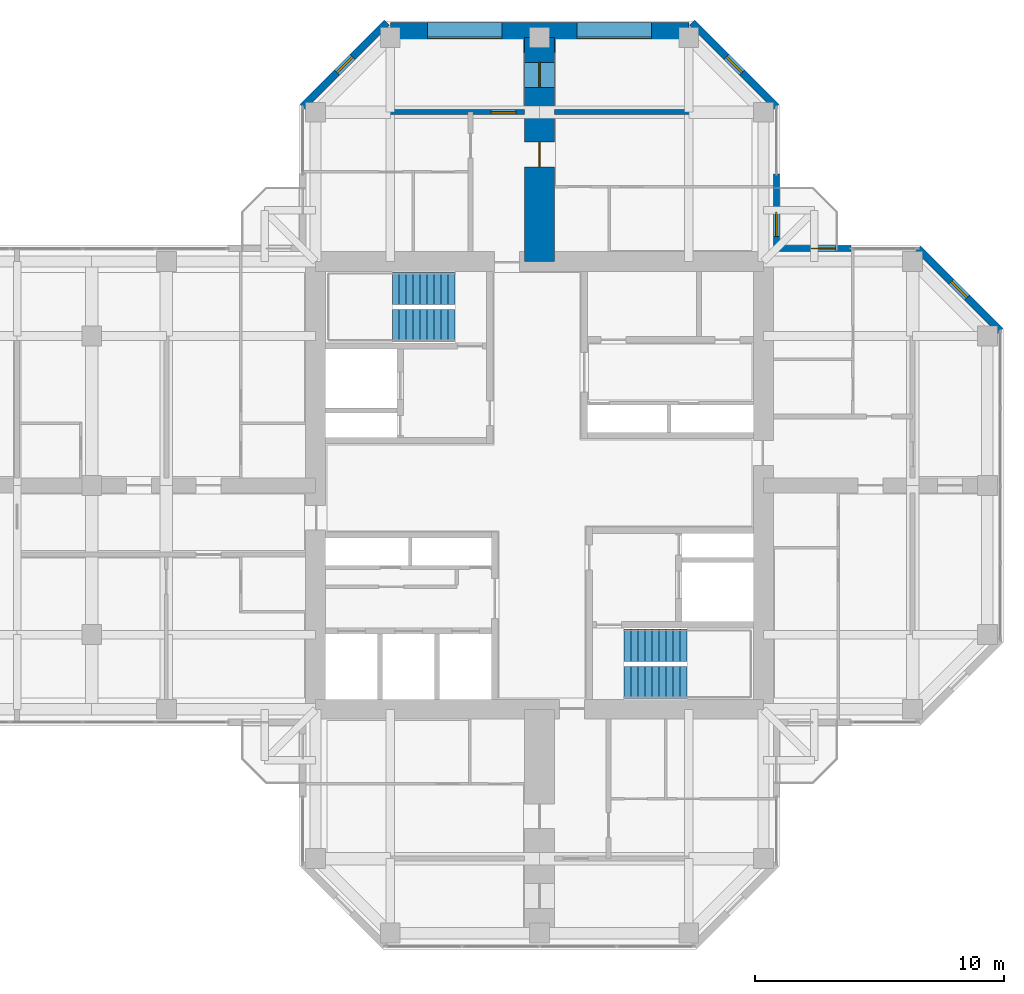
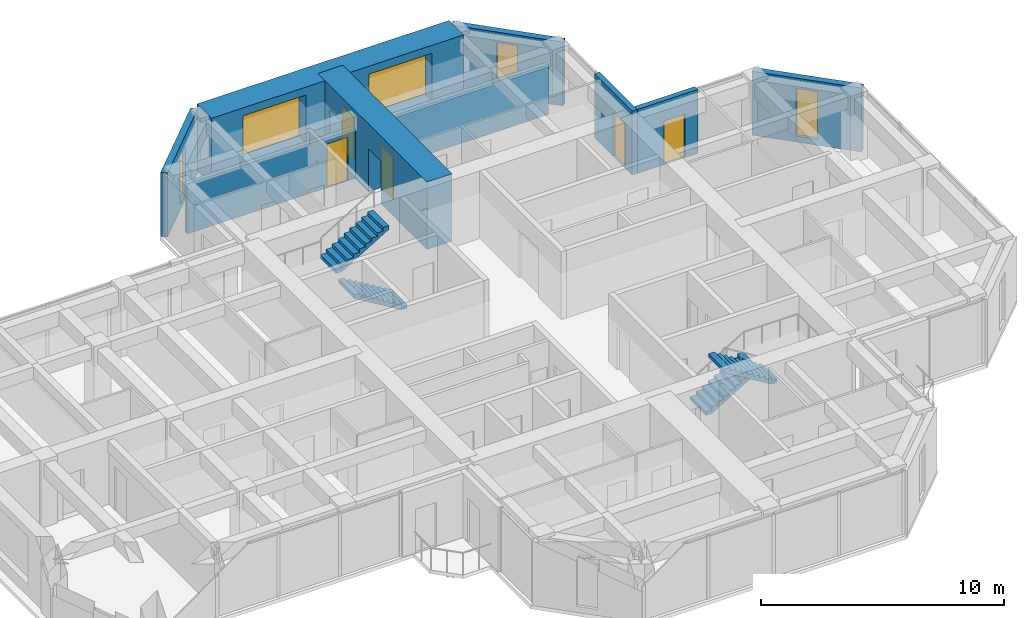
# One storey, part 12 of 13: 9 walls, 5 doors, 5 windows, 4 stair flights, 10 openings, 2 elements without a shape of their own.
"""IFC4 building model written with IfcOpenShell, lengths in metres."""

from ifc_helpers import new_model, si_unit, direction, frame, frame_2d, origin, place, context, subcontext, project, spatial, polyline, rectangle, hollow_rectangle, outline, extrude, material, layer, layer_set, constituent, constituent_set, type_object, element, fill, aggregate, save


model = new_model("IFC4")

# Units and contexts
model_context = context("Model", 3, precision=1e-05, world=origin(), true_north=direction((0.0, 1.0)))
body_context = subcontext(model_context, "Body", "Model", "MODEL_VIEW")
ifc_project = project(units=[si_unit("LENGTHUNIT", "METRE"), si_unit("AREAUNIT", "SQUARE_METRE"), si_unit("VOLUMEUNIT", "CUBIC_METRE"), si_unit("PLANEANGLEUNIT", "RADIAN"), si_unit("MASSUNIT", "GRAM", prefix="KILO")], contexts=[model_context])

# Site, building, storey
site_placement = place(None, origin())
site = spatial("IfcSite", under=ifc_project, at=site_placement, CompositionType="ELEMENT")
building_placement = place(site_placement, origin())
building = spatial("IfcBuilding", under=site, at=building_placement, Name="Torre Cruceta", CompositionType="ELEMENT")
storey_placement = place(building_placement, frame((0.0, 0.0, 232.300048828125)))
storey = spatial("IfcBuildingStorey", under=building, at=storey_placement, Name="L59", CompositionType="ELEMENT", Elevation=232.300048828125)

# Wall, opening, window
ifc_material_1 = material(Name="Concrete G30 (fck 30 MPa)", Category="concrete")
ifc_layer_1 = layer(ifc_material_1, 0.300048828125)
ifc_layer_set_1 = layer_set([ifc_layer_1], Name="Concrete G30 (fck 30 MPa)")
wall_type_1 = type_object("IfcWallType", Name="EXPOSED CONCRETE FACADE WALL 300", PredefinedType="SOLIDWALL", material=ifc_layer_set_1)
wall_1_placement = place(storey_placement, frame((18.52001953125, 6.21533203125, 0.0), z_axis=(0.0, 0.0, 1.0), x_axis=(-0.707106781187, 0.707106781187, 0.0)))
wall_1 = element("IfcWall", 1, at=wall_1_placement, inside=storey, type_object=wall_type_1, Name="EW1 facade wall L59 E chamfer 03", PredefinedType="SOLIDWALL", context=body_context, shape_type="SweptSolid", body=[
    extrude(rectangle(XDim=4.673583984375, YDim=0.300048828125, at=frame_2d((2.3369140625, 0.0))), origin(), (0.0, 0.0, 1.0), 3.219970703125),
])
opening_1_placement = place(wall_1_placement, frame((1.88671875, 0.0, 0.300048828125)))
opening_1 = element("IfcOpeningElement", 2, at=opening_1_placement, cuts=wall_1, Name="Opening WN5", PredefinedType="OPENING", context=body_context, shape_type="SweptSolid", body=[
    extrude(rectangle(XDim=0.89990234375, YDim=2.39990234375, at=frame_2d((0.449951171875, 1.199951171875))), frame((0.0, 0.159912109375, 0.0), z_axis=(0.0, -1.0, 0.0), x_axis=(1.0, 0.0, 0.0)), (0.0, 0.0, 1.0), 0.320068359375),
])
ifc_material_2 = material(Name="Aluminium window frame", Category="aluminium")
ifc_constituent_1 = constituent(ifc_material_2, Name="Frame")
ifc_material_3 = material(Name="Laminated insulating glass unit, low-iron clear", Category="glass")
ifc_constituent_2 = constituent(ifc_material_3, Name="Glazing")
ifc_constituent_set_1 = constituent_set(constituents=[ifc_constituent_1, ifc_constituent_2], Name="Aluminium window")
window_type_1 = type_object("IfcWindowType", Name="CHAMFER SLOT WINDOW 900X2400", PartitioningType="SINGLE_PANEL", PredefinedType="WINDOW", material=ifc_constituent_set_1)
window_1_placement = place(opening_1_placement, origin())
window_1 = element("IfcWindow", 3, at=window_1_placement, inside=storey, type_object=window_type_1, Name="WN5 L59 E 1", OverallHeight=2.39990234375, OverallWidth=0.89990234375, PartitioningType="SINGLE_PANEL", PredefinedType="WINDOW", context=body_context, shape_type="SweptSolid", body=[
    extrude(hollow_rectangle(XDim=0.89990234375, YDim=2.39990234375, WallThickness=0.06005859375, at=frame_2d((0.449951171875, 1.199951171875))), frame((0.0, 0.030029296875, 0.0), z_axis=(0.0, -1.0, 0.0), x_axis=(1.0, 0.0, 0.0)), (0.0, 0.0, 1.0), 0.06005859375),
    extrude(rectangle(XDim=0.77880859375, YDim=2.27880859375, at=frame_2d((0.449951171875, 1.199951171875))), frame((0.0, 0.030029296875, 0.0), z_axis=(0.0, -1.0, 0.0), x_axis=(1.0, 0.0, 0.0)), (0.0, 0.0, 1.0), 0.06005859375),
])
fill(opening_1, window_1)

wall_2_placement = place(storey_placement, frame((9.52001953125, 15.21533203125, 0.0), z_axis=(0.0, 0.0, 1.0), x_axis=(-0.707081278264, 0.707132283189, 0.0)))
wall_2 = element("IfcWall", 4, at=wall_2_placement, inside=storey, type_object=wall_type_1, Name="EW1 facade wall L59 N chamfer 06", PredefinedType="SOLIDWALL", context=body_context, shape_type="SweptSolid", body=[
    extrude(rectangle(XDim=4.78662109375, YDim=0.300048828125, at=frame_2d((2.393310546875, 0.0))), origin(), (0.0, 0.0, 1.0), 3.219970703125),
])
opening_2_placement = place(wall_2_placement, frame((1.943359375, 0.0, 0.300048828125)))
opening_2 = element("IfcOpeningElement", 5, at=opening_2_placement, cuts=wall_2, Name="Opening WN5", PredefinedType="OPENING", context=body_context, shape_type="SweptSolid", body=[
    extrude(rectangle(XDim=0.89990234375, YDim=2.39990234375, at=frame_2d((0.449951171875, 1.199951171875))), frame((0.0, 0.159912109375, 0.0), z_axis=(0.0, -1.0, 0.0), x_axis=(1.0, 0.0, 0.0)), (0.0, 0.0, 1.0), 0.320068359375),
])
window_2_placement = place(opening_2_placement, origin())
window_2 = element("IfcWindow", 6, at=window_2_placement, inside=storey, type_object=window_type_1, Name="WN5 L59 N 1", OverallHeight=2.39990234375, OverallWidth=0.89990234375, PartitioningType="SINGLE_PANEL", PredefinedType="WINDOW", context=body_context, shape_type="SweptSolid", body=[
    extrude(hollow_rectangle(XDim=0.89990234375, YDim=2.39990234375, WallThickness=0.06005859375, at=frame_2d((0.449951171875, 1.199951171875))), frame((0.0, 0.030029296875, 0.0), z_axis=(0.0, -1.0, 0.0), x_axis=(1.0, 0.0, 0.0)), (0.0, 0.0, 1.0), 0.06005859375),
    extrude(rectangle(XDim=0.77880859375, YDim=2.27880859375, at=frame_2d((0.449951171875, 1.199951171875))), frame((0.0, 0.030029296875, 0.0), z_axis=(0.0, -1.0, 0.0), x_axis=(1.0, 0.0, 0.0)), (0.0, 0.0, 1.0), 0.06005859375),
])
fill(opening_2, window_2)

wall_3_placement = place(storey_placement, frame((-6.135498046875, 18.60009765625, 0.0), z_axis=(0.0, 0.0, 1.0), x_axis=(-0.707081278264, -0.707132283189, 0.0)))
wall_3 = element("IfcWall", 7, at=wall_3_placement, inside=storey, type_object=wall_type_1, Name="EW1 facade wall L59 N chamfer 08", PredefinedType="SOLIDWALL", context=body_context, shape_type="SweptSolid", body=[
    extrude(rectangle(XDim=4.78662109375, YDim=0.300048828125, at=frame_2d((2.393310546875, 0.0))), origin(), (0.0, 0.0, 1.0), 3.219970703125),
])
opening_3_placement = place(wall_3_placement, frame((1.943359375, 0.0, 0.300048828125)))
opening_3 = element("IfcOpeningElement", 8, at=opening_3_placement, cuts=wall_3, Name="Opening WN5", PredefinedType="OPENING", context=body_context, shape_type="SweptSolid", body=[
    extrude(rectangle(XDim=0.89990234375, YDim=2.39990234375, at=frame_2d((0.449951171875, 1.199951171875))), frame((0.0, 0.159912109375, 0.0), z_axis=(0.0, -1.0, 0.0), x_axis=(1.0, 0.0, 0.0)), (0.0, 0.0, 1.0), 0.320068359375),
])
window_3_placement = place(opening_3_placement, origin())
window_3 = element("IfcWindow", 9, at=window_3_placement, inside=storey, type_object=window_type_1, Name="WN5 L59 N 1", OverallHeight=2.39990234375, OverallWidth=0.89990234375, PartitioningType="SINGLE_PANEL", PredefinedType="WINDOW", context=body_context, shape_type="SweptSolid", body=[
    extrude(hollow_rectangle(XDim=0.89990234375, YDim=2.39990234375, WallThickness=0.06005859375, at=frame_2d((0.449951171875, 1.199951171875))), frame((0.0, 0.030029296875, 0.0), z_axis=(0.0, -1.0, 0.0), x_axis=(1.0, 0.0, 0.0)), (0.0, 0.0, 1.0), 0.06005859375),
    extrude(rectangle(XDim=0.77880859375, YDim=2.27880859375, at=frame_2d((0.449951171875, 1.199951171875))), frame((0.0, 0.030029296875, 0.0), z_axis=(0.0, -1.0, 0.0), x_axis=(1.0, 0.0, 0.0)), (0.0, 0.0, 1.0), 0.06005859375),
])
fill(opening_3, window_3)

# Wall, openings, windows
ifc_material_4 = material(Name="Concrete G60 (fck 60 MPa)", Category="concrete")
ifc_layer_2 = layer(ifc_material_4, 1.199951171875)
ifc_layer_set_2 = layer_set([ifc_layer_2], Name="Concrete G60 (fck 60 MPa)")
wall_type_2 = type_object("IfcWallType", Name="NOSE WALL 1200 G60", PredefinedType="SHEAR", material=ifc_layer_set_2)
wall_4_placement = place(storey_placement, frame((6.0, 18.0, 0.0), z_axis=(0.0, 0.0, 1.0), x_axis=(-1.0, 0.0, 0.0)))
wall_4 = element("IfcWall", 10, at=wall_4_placement, inside=storey, type_object=wall_type_2, Name="NW1 nose wall L59 N", PredefinedType="SHEAR", context=body_context, shape_type="SweptSolid", body=[
    extrude(rectangle(XDim=12.0, YDim=1.199951171875, at=frame_2d((6.0, 0.0))), origin(), (0.0, 0.0, 1.0), 3.39990234375),
])
opening_4_placement = place(wall_4_placement, frame((1.5, 0.0, 0.60009765625)))
opening_4 = element("IfcOpeningElement", 11, at=opening_4_placement, cuts=wall_4, Name="Opening WN6", PredefinedType="OPENING", context=body_context, shape_type="SweptSolid", body=[
    extrude(rectangle(XDim=3.0, YDim=2.39990234375, at=frame_2d((1.5, 1.199951171875))), frame((0.0, 0.60986328125, 0.0), z_axis=(0.0, -1.0, 0.0), x_axis=(1.0, 0.0, 0.0)), (0.0, 0.0, 1.0), 1.219970703125),
])
opening_5_placement = place(wall_4_placement, frame((7.5, 0.0, 0.60009765625)))
opening_5 = element("IfcOpeningElement", 12, at=opening_5_placement, cuts=wall_4, Name="Opening WN6", PredefinedType="OPENING", context=body_context, shape_type="SweptSolid", body=[
    extrude(rectangle(XDim=3.0, YDim=2.39990234375, at=frame_2d((1.5, 1.199951171875))), frame((0.0, 0.60986328125, 0.0), z_axis=(0.0, -1.0, 0.0), x_axis=(1.0, 0.0, 0.0)), (0.0, 0.0, 1.0), 1.219970703125),
])
ifc_material_5 = material(Name="Aluminium window frame", Category="aluminium")
ifc_constituent_3 = constituent(ifc_material_5, Name="Frame")
ifc_material_6 = material(Name="Laminated insulating glass unit, low-iron clear", Category="glass")
ifc_constituent_4 = constituent(ifc_material_6, Name="Glazing")
ifc_constituent_set_2 = constituent_set(constituents=[ifc_constituent_3, ifc_constituent_4], Name="Aluminium window")
window_type_2 = type_object("IfcWindowType", Name="NOSE WALL WINDOW 3000X2400", PartitioningType="SINGLE_PANEL", PredefinedType="WINDOW", material=ifc_constituent_set_2)
window_4_placement = place(opening_4_placement, origin())
window_4 = element("IfcWindow", 13, at=window_4_placement, inside=storey, type_object=window_type_2, Name="WN6 L59 N 1", OverallHeight=2.39990234375, OverallWidth=3.0, PartitioningType="SINGLE_PANEL", PredefinedType="WINDOW", context=body_context, shape_type="SweptSolid", body=[
    extrude(hollow_rectangle(XDim=3.0, YDim=2.39990234375, WallThickness=0.06005859375, at=frame_2d((1.5, 1.199951171875))), frame((0.0, 0.030029296875, 0.0), z_axis=(0.0, -1.0, 0.0), x_axis=(1.0, 0.0, 0.0)), (0.0, 0.0, 1.0), 0.06005859375),
    extrude(rectangle(XDim=2.87890625, YDim=2.27880859375, at=frame_2d((1.5, 1.199951171875))), frame((0.0, 0.030029296875, 0.0), z_axis=(0.0, -1.0, 0.0), x_axis=(1.0, 0.0, 0.0)), (0.0, 0.0, 1.0), 0.06005859375),
])
fill(opening_4, window_4)
window_5_placement = place(opening_5_placement, origin())
window_5 = element("IfcWindow", 14, at=window_5_placement, inside=storey, type_object=window_type_2, Name="WN6 L59 N 2", OverallHeight=2.39990234375, OverallWidth=3.0, PartitioningType="SINGLE_PANEL", PredefinedType="WINDOW", context=body_context, shape_type="SweptSolid", body=[
    extrude(hollow_rectangle(XDim=3.0, YDim=2.39990234375, WallThickness=0.06005859375, at=frame_2d((1.5, 1.199951171875))), frame((0.0, 0.030029296875, 0.0), z_axis=(0.0, -1.0, 0.0), x_axis=(1.0, 0.0, 0.0)), (0.0, 0.0, 1.0), 0.06005859375),
    extrude(rectangle(XDim=2.87890625, YDim=2.27880859375, at=frame_2d((1.5, 1.199951171875))), frame((0.0, 0.030029296875, 0.0), z_axis=(0.0, -1.0, 0.0), x_axis=(1.0, 0.0, 0.0)), (0.0, 0.0, 1.0), 0.06005859375),
])
fill(opening_5, window_5)

# Wall, openings, doors
ifc_material_7 = material(Name="Concrete G60 (fck 60 MPa)", Category="concrete")
ifc_layer_3 = layer(ifc_material_7, 1.199951171875)
ifc_layer_set_3 = layer_set([ifc_layer_3], Name="Concrete G60 (fck 60 MPa)")
wall_type_3 = type_object("IfcWallType", Name="SPINE WALL 1200 G60", PredefinedType="SHEAR", material=ifc_layer_set_3)
wall_5_placement = place(storey_placement, frame((0.0, 9.0, 0.0), z_axis=(0.0, 0.0, 1.0), x_axis=(0.0, 1.0, 0.0)))
wall_5 = element("IfcWall", 15, at=wall_5_placement, inside=storey, type_object=wall_type_3, Name="SW3 spine wall L59 N", PredefinedType="SHEAR", context=body_context, shape_type="SweptSolid", body=[
    extrude(rectangle(XDim=9.0, YDim=1.199951171875, at=frame_2d((4.5, 0.0))), origin(), (0.0, 0.0, 1.0), 3.39990234375),
])
opening_6_placement = place(wall_5_placement, frame((3.800048828125, 0.0, 0.0)))
opening_6 = element("IfcOpeningElement", 16, at=opening_6_placement, cuts=wall_5, Name="Opening D6", PredefinedType="OPENING", context=body_context, shape_type="SweptSolid", body=[
    extrude(rectangle(XDim=1.0, YDim=2.14990234375, at=frame_2d((0.5, 1.074951171875))), frame((0.0, 0.60986328125, 0.0), z_axis=(0.0, -1.0, 0.0), x_axis=(1.0, 0.0, 0.0)), (0.0, 0.0, 1.0), 1.219970703125),
])
opening_7_placement = place(wall_5_placement, frame((7.0, 0.0, 0.0)))
opening_7 = element("IfcOpeningElement", 17, at=opening_7_placement, cuts=wall_5, Name="Opening D14", PredefinedType="OPENING", context=body_context, shape_type="SweptSolid", body=[
    extrude(rectangle(XDim=1.0, YDim=2.199951171875, at=frame_2d((0.5, 1.10009765625))), frame((0.0, 0.60986328125, 0.0), z_axis=(0.0, -1.0, 0.0), x_axis=(1.0, 0.0, 0.0)), (0.0, 0.0, 1.0), 1.219970703125),
])
ifc_material_8 = material(Name="Steel DX51D", Category="steel")
ifc_constituent_5 = constituent(ifc_material_8, Name="Leaf and frame")
ifc_material_9 = material(Name="Polyester powder coating", Category="paint")
ifc_constituent_6 = constituent(ifc_material_9, Name="Finish")
ifc_material_10 = material(Name="Fire-resisting glass", Category="glass")
ifc_constituent_7 = constituent(ifc_material_10, Name="Vision panel")
ifc_constituent_set_3 = constituent_set(constituents=[ifc_constituent_5, ifc_constituent_6, ifc_constituent_7], Name="Steel fire door with vision panel")
door_type_1 = type_object("IfcDoorType", Name="FIRE DOOR VISION PANEL 1000X2200", OperationType="SINGLE_SWING_RIGHT", PredefinedType="DOOR", material=ifc_constituent_set_3)
door_1_placement = place(opening_7_placement, origin())
door_1 = element("IfcDoor", 18, at=door_1_placement, inside=storey, type_object=door_type_1, Name="D14 L59-N-SP2", OperationType="SINGLE_SWING_RIGHT", OverallHeight=2.199951171875, OverallWidth=1.0, PredefinedType="DOOR", context=body_context, shape_type="SweptSolid", body=[
    extrude(rectangle(XDim=1.0, YDim=2.199951171875, at=frame_2d((0.5, 1.10009765625))), frame((0.0, 0.02490234375, 0.0), z_axis=(0.0, -1.0, 0.0), x_axis=(1.0, 0.0, 0.0)), (0.0, 0.0, 1.0), 0.050048828125),
])
fill(opening_7, door_1)
ifc_material_11 = material(Name="Timber fire door", Category="wood")
door_type_2 = type_object("IfcDoorType", Name="UNIT ENTRANCE DOOR 1000X2150", OperationType="SINGLE_SWING_LEFT", PredefinedType="DOOR", material=ifc_material_11)
door_2_placement = place(opening_6_placement, frame((1.0, 0.0, 0.0), z_axis=(0.0, 0.0, 1.0), x_axis=(-1.0, 0.0, 0.0)))
door_2 = element("IfcDoor", 19, at=door_2_placement, inside=storey, type_object=door_type_2, Name="D6 L59-N-SP1", OperationType="SINGLE_SWING_RIGHT", OverallHeight=2.14990234375, OverallWidth=1.0, PredefinedType="DOOR", context=body_context, shape_type="SweptSolid", body=[
    extrude(rectangle(XDim=1.0, YDim=2.14990234375, at=frame_2d((0.5, 1.074951171875))), frame((0.0, 0.025146484375, 0.0), z_axis=(0.0, -1.0, 0.0), x_axis=(1.0, 0.0, 0.0)), (0.0, 0.0, 1.0), 0.050048828125),
])
fill(opening_6, door_2)

# Wall
ifc_material_12 = material(Name="Concrete G25 (fck 25 MPa)", Category="concrete")
ifc_layer_4 = layer(ifc_material_12, 0.199951171875)
ifc_layer_set_4 = layer_set([ifc_layer_4], Name="Concrete G25 (fck 25 MPa)")
wall_type_4 = type_object("IfcWallType", Name="UNIT SEPARATING WALL 200", PredefinedType="SOLIDWALL", material=ifc_layer_set_4)
wall_6_placement = place(storey_placement, frame((8.60009765625, 15.0, 0.0), z_axis=(0.0, 0.0, 1.0), x_axis=(-1.0, 0.0, 0.0)))
element("IfcWall", 20, at=wall_6_placement, inside=storey, type_object=wall_type_4, Name="PT2 L59-N-ENDa", PredefinedType="SOLIDWALL", context=body_context, shape_type="SweptSolid", body=[
    extrude(rectangle(XDim=8.0, YDim=0.199951171875, at=frame_2d((4.0, 0.0))), origin(), (0.0, 0.0, 1.0), 2.52001953125),
])

# Wall, opening, door
wall_7_placement = place(storey_placement, frame((-0.60009765625, 15.0, 0.0), z_axis=(0.0, 0.0, 1.0), x_axis=(-1.0, 0.0, 0.0)))
wall_7 = element("IfcWall", 21, at=wall_7_placement, inside=storey, type_object=wall_type_4, Name="PT2 L59-N-ENDb", PredefinedType="SOLIDWALL", context=body_context, shape_type="SweptSolid", body=[
    extrude(rectangle(XDim=8.0, YDim=0.199951171875, at=frame_2d((4.0, 0.0))), origin(), (0.0, 0.0, 1.0), 2.52001953125),
])
opening_8_placement = place(wall_7_placement, frame((0.35009765625, 0.0, 0.0)))
opening_8 = element("IfcOpeningElement", 22, at=opening_8_placement, cuts=wall_7, Name="Opening D14", PredefinedType="OPENING", context=body_context, shape_type="SweptSolid", body=[
    extrude(rectangle(XDim=1.0, YDim=2.199951171875, at=frame_2d((0.5, 1.10009765625))), frame((0.0, 0.10986328125, 0.0), z_axis=(0.0, -1.0, 0.0), x_axis=(1.0, 0.0, 0.0)), (0.0, 0.0, 1.0), 0.219970703125),
])
door_3_placement = place(opening_8_placement, frame((1.0, 0.0, 0.0), z_axis=(0.0, 0.0, 1.0), x_axis=(-1.0, 0.0, 0.0)))
door_3 = element("IfcDoor", 23, at=door_3_placement, inside=storey, type_object=door_type_1, Name="D14 L59-N-ENDb-D1", OperationType="SINGLE_SWING_RIGHT", OverallHeight=2.199951171875, OverallWidth=1.0, PredefinedType="DOOR", context=body_context, shape_type="SweptSolid", body=[
    extrude(rectangle(XDim=1.0, YDim=2.199951171875, at=frame_2d((0.5, 1.10009765625))), frame((0.0, 0.025146484375, 0.0), z_axis=(0.0, -1.0, 0.0), x_axis=(1.0, 0.0, 0.0)), (0.0, 0.0, 1.0), 0.050048828125),
])
fill(opening_8, door_3)

ifc_material_13 = material(Name="Concrete G30 (fck 30 MPa)", Category="concrete")
ifc_layer_5 = layer(ifc_material_13, 0.25)
ifc_layer_set_5 = layer_set([ifc_layer_5], Name="Concrete G30 (fck 30 MPa)")
wall_type_5 = type_object("IfcWallType", Name="WINTER GARDEN WALL 250", PredefinedType="SOLIDWALL", material=ifc_layer_set_5)
wall_8_placement = place(storey_placement, frame((12.52001953125, 9.52001953125, 0.0), z_axis=(0.0, 0.0, 1.0), x_axis=(-1.0, 0.0, 0.0)))
wall_8 = element("IfcWall", 24, at=wall_8_placement, inside=storey, type_object=wall_type_5, Name="EW2 winter garden wall L59 04", PredefinedType="SOLIDWALL", context=body_context, shape_type="SweptSolid", body=[
    extrude(rectangle(XDim=2.875, YDim=0.25, at=frame_2d((1.4375, 0.0))), origin(), (0.0, 0.0, 1.0), 3.219970703125),
])
opening_9_placement = place(wall_8_placement, frame((0.60009765625, 0.0, 0.0)))
opening_9 = element("IfcOpeningElement", 25, at=opening_9_placement, cuts=wall_8, Name="Opening D10", PredefinedType="OPENING", context=body_context, shape_type="SweptSolid", body=[
    extrude(rectangle(XDim=1.0, YDim=2.199951171875, at=frame_2d((0.5, 1.10009765625))), frame((0.0, 0.135009765625, 0.0), z_axis=(0.0, -1.0, 0.0), x_axis=(1.0, 0.0, 0.0)), (0.0, 0.0, 1.0), 0.27001953125),
])
ifc_material_14 = material(Name="Aluminium door frame", Category="aluminium")
ifc_constituent_8 = constituent(ifc_material_14, Name="Frame")
ifc_material_15 = material(Name="Laminated safety glass", Category="glass")
ifc_constituent_9 = constituent(ifc_material_15, Name="Glazing")
ifc_constituent_set_4 = constituent_set(constituents=[ifc_constituent_8, ifc_constituent_9], Name="Aluminium glazed door")
door_type_3 = type_object("IfcDoorType", Name="BALCONY DOOR 1000X2200", OperationType="SINGLE_SWING_RIGHT", PredefinedType="DOOR", material=ifc_constituent_set_4)
door_4_placement = place(opening_9_placement, origin())
door_4 = element("IfcDoor", 26, at=door_4_placement, inside=storey, type_object=door_type_3, Name="D10 balcony door L59 04", OperationType="SINGLE_SWING_LEFT", OverallHeight=2.199951171875, OverallWidth=1.0, PredefinedType="DOOR", context=body_context, shape_type="SweptSolid", body=[
    extrude(hollow_rectangle(XDim=1.0, YDim=2.199951171875, WallThickness=0.06005859375, at=frame_2d((0.5, 1.10009765625))), frame((0.0, 0.02490234375, 0.0), z_axis=(0.0, -1.0, 0.0), x_axis=(1.0, 0.0, 0.0)), (0.0, 0.0, 1.0), 0.050048828125),
    extrude(rectangle(XDim=0.87890625, YDim=2.078857421875, at=frame_2d((0.5, 1.10009765625))), frame((0.0, 0.02490234375, 0.0), z_axis=(0.0, -1.0, 0.0), x_axis=(1.0, 0.0, 0.0)), (0.0, 0.0, 1.0), 0.050048828125),
])
fill(opening_9, door_4)

wall_9_placement = place(storey_placement, frame((9.52001953125, 9.39501953125, 0.0), z_axis=(0.0, 0.0, 1.0), x_axis=(0.0, 1.0, 0.0)))
wall_9 = element("IfcWall", 27, at=wall_9_placement, inside=storey, type_object=wall_type_5, Name="EW2 winter garden wall L59 05", PredefinedType="SOLIDWALL", context=body_context, shape_type="SweptSolid", body=[
    extrude(rectangle(XDim=3.125, YDim=0.25, at=frame_2d((1.5625, 0.0))), origin(), (0.0, 0.0, 1.0), 3.219970703125),
])
opening_10_placement = place(wall_9_placement, frame((0.60009765625, 0.0, 0.0)))
opening_10 = element("IfcOpeningElement", 28, at=opening_10_placement, cuts=wall_9, Name="Opening D10", PredefinedType="OPENING", context=body_context, shape_type="SweptSolid", body=[
    extrude(rectangle(XDim=1.0, YDim=2.199951171875, at=frame_2d((0.5, 1.10009765625))), frame((0.0, 0.135009765625, 0.0), z_axis=(0.0, -1.0, 0.0), x_axis=(1.0, 0.0, 0.0)), (0.0, 0.0, 1.0), 0.27001953125),
])
door_5_placement = place(opening_10_placement, origin())
door_5 = element("IfcDoor", 29, at=door_5_placement, inside=storey, type_object=door_type_3, Name="D10 balcony door L59 05", OperationType="SINGLE_SWING_RIGHT", OverallHeight=2.199951171875, OverallWidth=1.0, PredefinedType="DOOR", context=body_context, shape_type="SweptSolid", body=[
    extrude(hollow_rectangle(XDim=1.0, YDim=2.199951171875, WallThickness=0.06005859375, at=frame_2d((0.5, 1.10009765625))), frame((0.0, 0.02490234375, 0.0), z_axis=(0.0, -1.0, 0.0), x_axis=(1.0, 0.0, 0.0)), (0.0, 0.0, 1.0), 0.050048828125),
    extrude(rectangle(XDim=0.87890625, YDim=2.078857421875, at=frame_2d((0.5, 1.10009765625))), frame((0.0, 0.02490234375, 0.0), z_axis=(0.0, -1.0, 0.0), x_axis=(1.0, 0.0, 0.0)), (0.0, 0.0, 1.0), 0.050048828125),
])
fill(opening_10, door_5)

# Stair, stair flights
ifc_material_16 = material(Name="Concrete G30 (fck 30 MPa)", Category="concrete")
stair_type = type_object("IfcStairType", Name="STAIR HALF-TURN 1300", PredefinedType="HALF_TURN_STAIR", material=ifc_material_16)
stair_1_placement = place(storey_placement, origin())
stair_1 = element("IfcStair", 30, at=stair_1_placement, inside=storey, type_object=stair_type, Name="Stair ST1 L59", PredefinedType="HALF_TURN_STAIR")
ifc_material_17 = material(Name="Concrete G30 (fck 30 MPa)", Category="concrete")
stair_flight_type = type_object("IfcStairFlightType", Name="STAIR FLIGHT 1300", PredefinedType="STRAIGHT", material=ifc_material_17)
stair_flight_1_placement = place(storey_placement, frame((-3.39990234375, 6.425048828125, 0.0), z_axis=(0.0, 0.0, 1.0), x_axis=(-1.0, 0.0, 0.0)))
stair_flight_1 = element("IfcStairFlight", 31, at=stair_flight_1_placement, type_object=stair_flight_type, Name="ST1 flight 1", NumberOfRisers=10, NumberOfTreads=9, PredefinedType="STRAIGHT", RiserHeight=0.17, TreadLength=0.28, context=body_context, shape_type="SweptSolid", body=[
    extrude(outline(polyline([(0.0, 0.0), (0.0, 0.169921875), (0.280029296875, 0.169921875), (0.280029296875, 0.340087890625), (0.56005859375, 0.340087890625), (0.56005859375, 0.510009765625), (0.840087890625, 0.510009765625), (0.840087890625, 0.679931640625), (1.1201171875, 0.679931640625), (1.1201171875, 0.85009765625), (1.39990234375, 0.85009765625), (1.39990234375, 1.02001953125), (1.679931640625, 1.02001953125), (1.679931640625, 1.18994140625), (1.9599609375, 1.18994140625), (1.9599609375, 1.360107421875), (2.239990234375, 1.360107421875), (2.239990234375, 1.530029296875), (2.52001953125, 1.530029296875), (2.52001953125, 1.699951171875), (2.52001953125, 1.354736328125), (0.288818359375, 0.0), (0.0, 0.0)])), frame((0.0, 0.64990234375, 0.0), z_axis=(0.0, -1.0, 0.0), x_axis=(1.0, 0.0, 0.0)), (0.0, 0.0, 1.0), 1.300048828125),
])
stair_flight_2_placement = place(storey_placement, frame((-5.919921875, 7.925048828125, 1.699951171875), z_axis=(0.0, 0.0, 1.0), x_axis=(1.0, 0.0, 0.0)))
stair_flight_2 = element("IfcStairFlight", 32, at=stair_flight_2_placement, type_object=stair_flight_type, Name="ST1 flight 2", NumberOfRisers=10, NumberOfTreads=9, PredefinedType="STRAIGHT", RiserHeight=0.17, TreadLength=0.28, context=body_context, shape_type="SweptSolid", body=[
    extrude(outline(polyline([(0.0, 0.0), (0.0, 0.169921875), (0.280029296875, 0.169921875), (0.280029296875, 0.340087890625), (0.56005859375, 0.340087890625), (0.56005859375, 0.510009765625), (0.840087890625, 0.510009765625), (0.840087890625, 0.679931640625), (1.1201171875, 0.679931640625), (1.1201171875, 0.85009765625), (1.39990234375, 0.85009765625), (1.39990234375, 1.02001953125), (1.679931640625, 1.02001953125), (1.679931640625, 1.18994140625), (1.9599609375, 1.18994140625), (1.9599609375, 1.360107421875), (2.239990234375, 1.360107421875), (2.239990234375, 1.530029296875), (2.52001953125, 1.530029296875), (2.52001953125, 1.699951171875), (2.52001953125, 1.354736328125), (0.288818359375, 0.0), (0.0, 0.0)])), frame((0.0, 0.64990234375, 0.0), z_axis=(0.0, -1.0, 0.0), x_axis=(1.0, 0.0, 0.0)), (0.0, 0.0, 1.0), 1.300048828125),
])
aggregate(stair_1, [stair_flight_1, stair_flight_2])

stair_2_placement = place(storey_placement, origin())
stair_2 = element("IfcStair", 33, at=stair_2_placement, inside=storey, type_object=stair_type, Name="Stair ST2 L59", PredefinedType="HALF_TURN_STAIR")
stair_flight_3_placement = place(storey_placement, frame((3.39990234375, -6.425048828125, 0.0), z_axis=(0.0, 0.0, 1.0), x_axis=(1.0, 0.0, 0.0)))
stair_flight_3 = element("IfcStairFlight", 34, at=stair_flight_3_placement, type_object=stair_flight_type, Name="ST2 flight 1", NumberOfRisers=10, NumberOfTreads=9, PredefinedType="STRAIGHT", RiserHeight=0.17, TreadLength=0.28, context=body_context, shape_type="SweptSolid", body=[
    extrude(outline(polyline([(0.0, 0.0), (0.0, 0.169921875), (0.280029296875, 0.169921875), (0.280029296875, 0.340087890625), (0.56005859375, 0.340087890625), (0.56005859375, 0.510009765625), (0.840087890625, 0.510009765625), (0.840087890625, 0.679931640625), (1.1201171875, 0.679931640625), (1.1201171875, 0.85009765625), (1.39990234375, 0.85009765625), (1.39990234375, 1.02001953125), (1.679931640625, 1.02001953125), (1.679931640625, 1.18994140625), (1.9599609375, 1.18994140625), (1.9599609375, 1.360107421875), (2.239990234375, 1.360107421875), (2.239990234375, 1.530029296875), (2.52001953125, 1.530029296875), (2.52001953125, 1.699951171875), (2.52001953125, 1.354736328125), (0.288818359375, 0.0), (0.0, 0.0)])), frame((0.0, 0.64990234375, 0.0), z_axis=(0.0, -1.0, 0.0), x_axis=(1.0, 0.0, 0.0)), (0.0, 0.0, 1.0), 1.300048828125),
])
stair_flight_4_placement = place(storey_placement, frame((5.919921875, -7.925048828125, 1.699951171875), z_axis=(0.0, 0.0, 1.0), x_axis=(-1.0, 0.0, 0.0)))
stair_flight_4 = element("IfcStairFlight", 35, at=stair_flight_4_placement, type_object=stair_flight_type, Name="ST2 flight 2", NumberOfRisers=10, NumberOfTreads=9, PredefinedType="STRAIGHT", RiserHeight=0.17, TreadLength=0.28, context=body_context, shape_type="SweptSolid", body=[
    extrude(outline(polyline([(0.0, 0.0), (0.0, 0.169921875), (0.280029296875, 0.169921875), (0.280029296875, 0.340087890625), (0.56005859375, 0.340087890625), (0.56005859375, 0.510009765625), (0.840087890625, 0.510009765625), (0.840087890625, 0.679931640625), (1.1201171875, 0.679931640625), (1.1201171875, 0.85009765625), (1.39990234375, 0.85009765625), (1.39990234375, 1.02001953125), (1.679931640625, 1.02001953125), (1.679931640625, 1.18994140625), (1.9599609375, 1.18994140625), (1.9599609375, 1.360107421875), (2.239990234375, 1.360107421875), (2.239990234375, 1.530029296875), (2.52001953125, 1.530029296875), (2.52001953125, 1.699951171875), (2.52001953125, 1.354736328125), (0.288818359375, 0.0), (0.0, 0.0)])), frame((0.0, 0.64990234375, 0.0), z_axis=(0.0, -1.0, 0.0), x_axis=(1.0, 0.0, 0.0)), (0.0, 0.0, 1.0), 1.300048828125),
])
aggregate(stair_2, [stair_flight_3, stair_flight_4])

save(model, "model.ifc")
